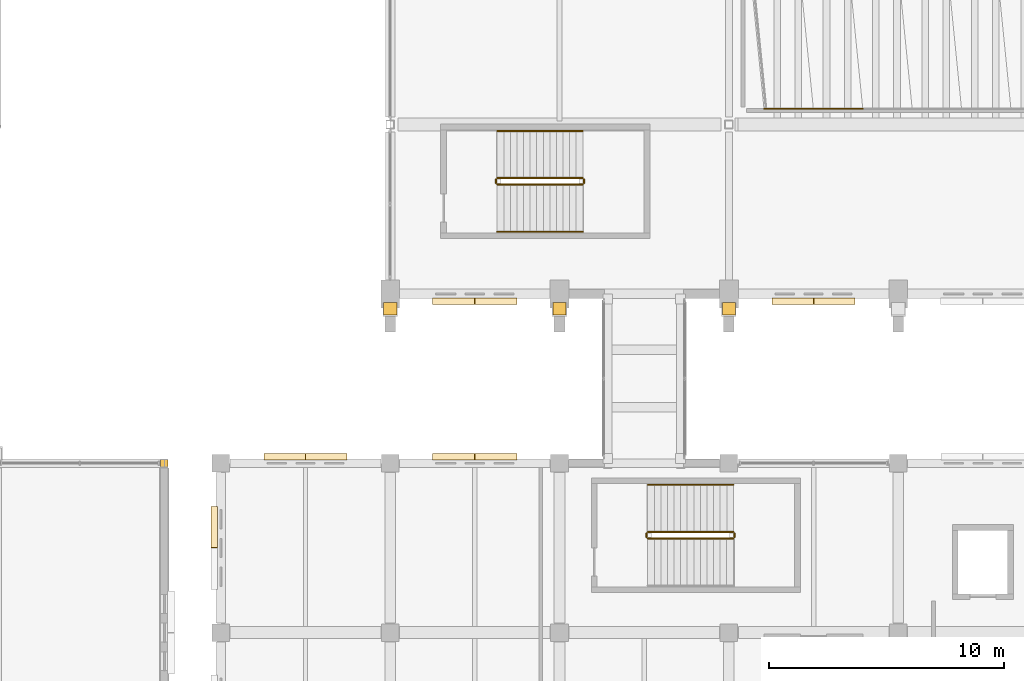
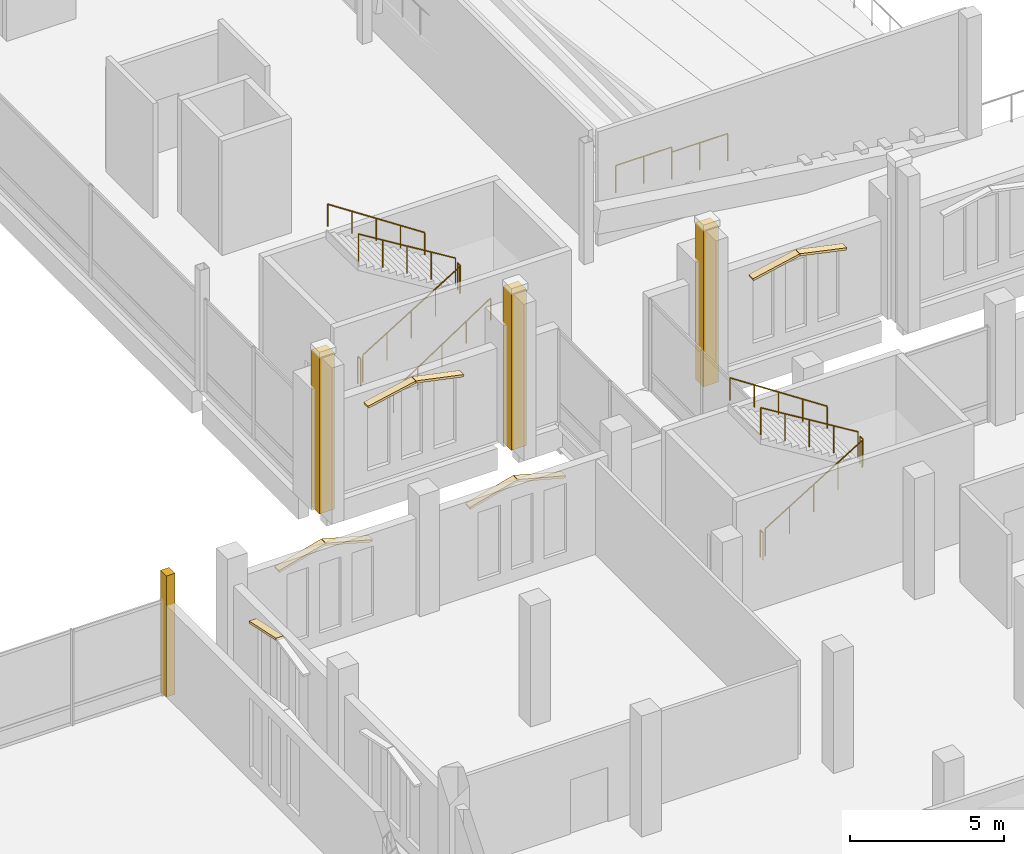
# One storey, part 182 of 193: 13 coverings, 13 railings.
"""IFC4 building model written with IfcOpenShell, lengths in metres."""

from ifc_helpers import new_model, si_unit, direction, frame, origin, origin_2d, place, context, subcontext, project, spatial, polyline, circle, outline, extrude, material, layer, layer_set, type_object, element, save


model = new_model("IFC4")

# Units and contexts
model_context = context("Model", 3, precision=1e-05, world=origin(), true_north=direction((0.0, 1.0)))
body_context = subcontext(model_context, "Body", "Model", "MODEL_VIEW")
ifc_project = project(units=[si_unit("LENGTHUNIT", "METRE"), si_unit("AREAUNIT", "SQUARE_METRE"), si_unit("VOLUMEUNIT", "CUBIC_METRE"), si_unit("PLANEANGLEUNIT", "RADIAN"), si_unit("MASSUNIT", "GRAM", prefix="KILO")], contexts=[model_context])

# Site, building, storey
site_placement = place(None, origin())
site = spatial("IfcSite", under=ifc_project, at=site_placement, CompositionType="ELEMENT")
building_placement = place(site_placement, origin())
building = spatial("IfcBuilding", under=site, at=building_placement, Name="Cendralis Lancet Convention Centre", CompositionType="ELEMENT")
storey_placement = place(building_placement, frame((0.0, 0.0, 10.199951171875)))
storey = spatial("IfcBuildingStorey", under=building, at=storey_placement, Name="L02", CompositionType="ELEMENT", Elevation=10.199951171875)

# Coverings
ifc_material_1 = material(Name="Warm buff sandstone chevron cassette", Category="masonry")
ifc_layer = layer(ifc_material_1, 0.06005859375, Name="Warm buff sandstone chevron cassette")
ifc_layer_set = layer_set([ifc_layer], Name="Warm buff sandstone chevron cassette")
covering_type = type_object("IfcCoveringType", Name="ARC-CV-CLAD1", PredefinedType="CLADDING", material=ifc_layer_set)
for number, where, z_axis, x_axis, name in (
    (1, (144.60009765625, 42.75, 3.27001953125), (0.205041599325, 0.0, 0.978753259277), (0.0, 1.0, 0.0), "L02 Gothic Pointed Lancet Hood-Mould #0135L"),
    (2, (142.7900390625, 42.75, 3.64501953125), (-0.205041599325, 0.0, 0.978753259277), (0.0, 1.0, 0.0), "L02 Gothic Pointed Lancet Hood-Mould #0136R"),
):
    element("IfcCovering", number, at=place(storey_placement, frame(where, z_axis=z_axis, x_axis=x_axis)), inside=storey, type_object=covering_type, Name=name, PredefinedType="CLADDING", context=body_context, shape_type="SweptSolid", body=[
        extrude(outline(polyline([(0.0, 0.0), (0.284912109375, 0.0), (0.284912109375, 1.8288971664027145), (0.0, 1.8288971664027145), (0.0, 0.0)])), origin(), (0.0, 0.0, -1.0), 0.090087890625),
    ])
for number, where, z_axis, x_axis, name in (
    (3, (158.9599609375, 42.75, 3.27001953125), (0.209529088731, 0.0, 0.977802414077), (0.0, 1.0, 0.0), "L02 Gothic Pointed Lancet Hood-Mould #0137L"),
    (4, (157.18994140625, 42.75, 3.64501953125), (-0.209529088731, 0.0, 0.977802414077), (0.0, 1.0, 0.0), "L02 Gothic Pointed Lancet Hood-Mould #0138R"),
):
    element("IfcCovering", number, at=place(storey_placement, frame(where, z_axis=z_axis, x_axis=x_axis)), inside=storey, type_object=covering_type, Name=name, PredefinedType="CLADDING", context=body_context, shape_type="SweptSolid", body=[
        extrude(outline(polyline([(0.0, 0.0), (0.284912109375, 0.0), (0.284912109375, 1.789727632909544), (0.0, 1.789727632909544), (0.0, 0.0)])), origin(), (0.0, 0.0, -1.0), 0.090087890625),
    ])
covering_1_placement = place(storey_placement, origin())
element("IfcCovering", 5, at=covering_1_placement, inside=storey, type_object=covering_type, Name="Gothic Stepped Stone Buttress Shaft #0031", PredefinedType="CLADDING", context=body_context, shape_type="SweptSolid", body=[
    extrude(outline(polyline([(138.919921875, 42.300048828125), (139.47998046875, 42.300048828125), (139.47998046875, 42.830078125), (138.919921875, 42.830078125), (138.919921875, 42.300048828125)])), origin(), (0.0, 0.0, 1.0), 6.199951171875),
])
covering_2_placement = place(storey_placement, origin())
element("IfcCovering", 6, at=covering_2_placement, inside=storey, type_object=covering_type, Name="Gothic Stepped Stone Buttress Shaft #0033", PredefinedType="CLADDING", context=body_context, shape_type="SweptSolid", body=[
    extrude(outline(polyline([(146.1201171875, 42.300048828125), (146.679931640625, 42.300048828125), (146.679931640625, 42.830078125), (146.1201171875, 42.830078125), (146.1201171875, 42.300048828125)])), origin(), (0.0, 0.0, 1.0), 6.199951171875),
])
covering_3_placement = place(storey_placement, origin())
element("IfcCovering", 7, at=covering_3_placement, inside=storey, type_object=covering_type, Name="Gothic Stepped Stone Buttress Shaft #0035", PredefinedType="CLADDING", context=body_context, shape_type="SweptSolid", body=[
    extrude(outline(polyline([(153.320068359375, 42.300048828125), (153.8798828125, 42.300048828125), (153.8798828125, 42.830078125), (153.320068359375, 42.830078125), (153.320068359375, 42.300048828125)])), origin(), (0.0, 0.0, 1.0), 6.199951171875),
])
for number, where, z_axis, x_axis, name in (
    (8, (133.840087890625, 36.419921875, 3.27001953125), (-0.262000790167, 0.0, 0.965067658743), (0.0, -1.0, 0.0), "L02 Gothic Pointed Lancet Hood-Mould #0349L"),
    (9, (135.610107421875, 36.419921875, 3.7451171875), (0.262000790167, 0.0, 0.965067658743), (0.0, -1.0, 0.0), "L02 Gothic Pointed Lancet Hood-Mould #0350R"),
):
    element("IfcCovering", number, at=place(storey_placement, frame(where, z_axis=z_axis, x_axis=x_axis)), inside=storey, type_object=covering_type, Name=name, PredefinedType="CLADDING", context=body_context, shape_type="SweptSolid", body=[
        extrude(outline(polyline([(0.0, 0.0), (0.284912109375, 0.0), (0.284912109375, 1.8133443641443958), (0.0, 1.8133443641443958), (0.0, 0.0)])), origin(), (0.0, 0.0, -1.0), 0.090087890625),
    ])
for number, where, z_axis, x_axis, name in (
    (10, (141.0, 36.419921875, 3.27001953125), (-0.256530206317, 0.0, 0.966536214141), (0.0, -1.0, 0.0), "L02 Gothic Pointed Lancet Hood-Mould #0351L"),
    (11, (142.81005859375, 36.419921875, 3.7451171875), (0.256530206317, 0.0, 0.966536214141), (0.0, -1.0, 0.0), "L02 Gothic Pointed Lancet Hood-Mould #0352R"),
):
    element("IfcCovering", number, at=place(storey_placement, frame(where, z_axis=z_axis, x_axis=x_axis)), inside=storey, type_object=covering_type, Name=name, PredefinedType="CLADDING", context=body_context, shape_type="SweptSolid", body=[
        extrude(outline(polyline([(0.0, 0.0), (0.284912109375, 0.0), (0.284912109375, 1.8520144784126613), (0.0, 1.8520144784126613), (0.0, 0.0)])), origin(), (0.0, 0.0, -1.0), 0.090087890625),
    ])
covering_4_placement = place(storey_placement, frame((131.580078125, 32.409912109375, 3.64501953125), z_axis=(0.0, 0.209529088731, 0.977802414077), x_axis=(1.0, 0.0, 0.0)))
element("IfcCovering", 12, at=covering_4_placement, inside=storey, type_object=covering_type, Name="L02 Gothic Pointed Lancet Hood-Mould #0374R", PredefinedType="CLADDING", context=body_context, shape_type="SweptSolid", body=[
    extrude(outline(polyline([(0.0, 0.0), (0.284912109375, 0.0), (0.284912109375, 1.789727632909544), (0.0, 1.789727632909544), (0.0, 0.0)])), origin(), (0.0, 0.0, -1.0), 0.090087890625),
])
covering_5_placement = place(storey_placement, origin())
element("IfcCovering", 13, at=covering_5_placement, inside=storey, type_object=covering_type, Name="Exterior Column Stone Fire-Casing L02 #032", PredefinedType="CLADDING", context=body_context, shape_type="SweptSolid", body=[
    extrude(outline(polyline([(129.43798828125, 35.80810546875), (129.761962890625, 35.80810546875), (129.761962890625, 36.19189453125), (129.43798828125, 36.19189453125), (129.43798828125, 35.80810546875)])), origin(), (0.0, 0.0, 1.0), 4.800048828125),
])

# Railings
ifc_material_2 = material(Name="Steel S355", Category="steel")
railing_type_1 = type_object("IfcRailingType", Name="ARC-RL-CGD", PredefinedType="GUARDRAIL", material=ifc_material_2)
railing_1_placement = place(storey_placement, frame((143.75, 47.85009765625, 0.17138671875)))
element("IfcRailing", 14, at=railing_1_placement, inside=storey, type_object=railing_type_1, Name="L02 ST-08 stair guard 1", PredefinedType="GUARDRAIL", context=body_context, shape_type="SweptSolid", body=[
    extrude(circle(Radius=0.02392578125, at=origin_2d()), frame((0.0, 0.0, 1.076171875), z_axis=(0.852824790078, 0.0, 0.522197163366), x_axis=(0.0, 1.0, 0.0)), (0.0, 0.0, 1.0), 4.26806640625),
    extrude(circle(Radius=0.02099609375, at=origin_2d()), origin(), (0.0, 0.0, 1.0), 1.052001953125),
    extrude(circle(Radius=0.02099609375, at=origin_2d()), frame((0.909912109375, 0.0, 0.55712890625)), (0.0, 0.0, 1.0), 1.052001953125),
    extrude(circle(Radius=0.02099609375, at=origin_2d()), frame((1.81982421875, 0.0, 1.1142578125)), (0.0, 0.0, 1.0), 1.052001953125),
    extrude(circle(Radius=0.02099609375, at=origin_2d()), frame((2.72998046875, 0.0, 1.671630859375)), (0.0, 0.0, 1.0), 1.052001953125),
    extrude(circle(Radius=0.02099609375, at=origin_2d()), frame((3.639892578125, 0.0, 2.228759765625)), (0.0, 0.0, 1.0), 1.052001953125),
])
railing_2_placement = place(storey_placement, frame((147.43994140625, 47.89990234375, 2.400146484375)))
element("IfcRailing", 15, at=railing_2_placement, inside=storey, type_object=railing_type_1, Name="L02 ST-08 stair guard 2", PredefinedType="GUARDRAIL", context=body_context, shape_type="SweptSolid", body=[
    extrude(circle(Radius=0.02392578125, at=origin_2d()), frame((0.0, 0.0, 1.076171875), z_axis=(0.0, 1.0, 0.0), x_axis=(-1.0, 0.0, 0.0)), (0.0, 0.0, 1.0), 0.18017578125),
    extrude(circle(Radius=0.02099609375, at=origin_2d()), origin(), (0.0, 0.0, 1.0), 1.052001953125),
    extrude(circle(Radius=0.02099609375, at=origin_2d()), frame((0.0, 0.18017578125, 0.0)), (0.0, 0.0, 1.0), 1.052001953125),
])
railing_3_placement = place(storey_placement, frame((147.389892578125, 48.1298828125, 2.571533203125)))
element("IfcRailing", 16, at=railing_3_placement, inside=storey, type_object=railing_type_1, Name="L02 ST-08 stair guard 3", PredefinedType="GUARDRAIL", context=body_context, shape_type="SweptSolid", body=[
    extrude(circle(Radius=0.02392578125, at=origin_2d()), frame((0.0, 0.0, 1.076171875), z_axis=(-0.852850264322, 0.0, 0.5221555579), x_axis=(0.0, -1.0, 0.0)), (0.0, 0.0, 1.0), 4.267822265625),
    extrude(circle(Radius=0.02099609375, at=origin_2d()), origin(), (0.0, 0.0, 1.0), 1.052001953125),
    extrude(circle(Radius=0.02099609375, at=origin_2d()), frame((-0.909912109375, 0.0, 0.55712890625)), (0.0, 0.0, 1.0), 1.052001953125),
    extrude(circle(Radius=0.02099609375, at=origin_2d()), frame((-1.81982421875, 0.0, 1.1142578125)), (0.0, 0.0, 1.0), 1.052001953125),
    extrude(circle(Radius=0.02099609375, at=origin_2d()), frame((-2.72998046875, 0.0, 1.67138671875)), (0.0, 0.0, 1.0), 1.052001953125),
    extrude(circle(Radius=0.02099609375, at=origin_2d()), frame((-3.639892578125, 0.0, 2.228515625)), (0.0, 0.0, 1.0), 1.052001953125),
])
railing_4_placement = place(storey_placement, frame((143.699951171875, 47.89990234375, 0.0)))
element("IfcRailing", 17, at=railing_4_placement, inside=storey, type_object=railing_type_1, Name="L02 ST-08 stair guard 4", PredefinedType="GUARDRAIL", context=body_context, shape_type="SweptSolid", body=[
    extrude(circle(Radius=0.02392578125, at=origin_2d()), frame((0.0, 0.0, 1.076171875), z_axis=(0.0, 1.0, 0.0), x_axis=(-1.0, 0.0, 0.0)), (0.0, 0.0, 1.0), 0.18017578125),
    extrude(circle(Radius=0.02099609375, at=origin_2d()), origin(), (0.0, 0.0, 1.0), 1.052001953125),
    extrude(circle(Radius=0.02099609375, at=origin_2d()), frame((0.0, 0.18017578125, 0.0)), (0.0, 0.0, 1.0), 1.052001953125),
])
railing_5_placement = place(storey_placement, frame((150.14990234375, 32.800048828125, 0.17138671875)))
element("IfcRailing", 18, at=railing_5_placement, inside=storey, type_object=railing_type_1, Name="L02 ST-13 stair guard 1", PredefinedType="GUARDRAIL", context=body_context, shape_type="SweptSolid", body=[
    extrude(circle(Radius=0.02392578125, at=origin_2d()), frame((0.0, 0.0, 1.076171875), z_axis=(0.852840387347, 0.0, 0.522171689878), x_axis=(0.0, 1.0, 0.0)), (0.0, 0.0, 1.0), 4.268310546875),
    extrude(circle(Radius=0.02099609375, at=origin_2d()), origin(), (0.0, 0.0, 1.0), 1.052001953125),
    extrude(circle(Radius=0.02099609375, at=origin_2d()), frame((0.91015625, 0.0, 0.55712890625)), (0.0, 0.0, 1.0), 1.052001953125),
    extrude(circle(Radius=0.02099609375, at=origin_2d()), frame((1.820068359375, 0.0, 1.1142578125)), (0.0, 0.0, 1.0), 1.052001953125),
    extrude(circle(Radius=0.02099609375, at=origin_2d()), frame((2.72998046875, 0.0, 1.671630859375)), (0.0, 0.0, 1.0), 1.052001953125),
    extrude(circle(Radius=0.02099609375, at=origin_2d()), frame((3.64013671875, 0.0, 2.228759765625)), (0.0, 0.0, 1.0), 1.052001953125),
])
railing_6_placement = place(storey_placement, frame((153.840087890625, 32.85009765625, 2.400146484375)))
element("IfcRailing", 19, at=railing_6_placement, inside=storey, type_object=railing_type_1, Name="L02 ST-13 stair guard 2", PredefinedType="GUARDRAIL", context=body_context, shape_type="SweptSolid", body=[
    extrude(circle(Radius=0.02392578125, at=origin_2d()), frame((0.0, 0.0, 1.076171875), z_axis=(0.0, 1.0, 0.0), x_axis=(-1.0, 0.0, 0.0)), (0.0, 0.0, 1.0), 0.179931640625),
    extrude(circle(Radius=0.02099609375, at=origin_2d()), origin(), (0.0, 0.0, 1.0), 1.052001953125),
    extrude(circle(Radius=0.02099609375, at=origin_2d()), frame((0.0, 0.179931640625, 0.0)), (0.0, 0.0, 1.0), 1.052001953125),
])
railing_7_placement = place(storey_placement, frame((153.7900390625, 33.080078125, 2.571533203125)))
element("IfcRailing", 20, at=railing_7_placement, inside=storey, type_object=railing_type_1, Name="L02 ST-13 stair guard 3", PredefinedType="GUARDRAIL", context=body_context, shape_type="SweptSolid", body=[
    extrude(circle(Radius=0.02392578125, at=origin_2d()), frame((0.0, 0.0, 1.076171875), z_axis=(-0.852865859571, 0.0, 0.52213008492), x_axis=(0.0, -1.0, 0.0)), (0.0, 0.0, 1.0), 4.26806640625),
    extrude(circle(Radius=0.02099609375, at=origin_2d()), origin(), (0.0, 0.0, 1.0), 1.052001953125),
    extrude(circle(Radius=0.02099609375, at=origin_2d()), frame((-0.91015625, 0.0, 0.55712890625)), (0.0, 0.0, 1.0), 1.052001953125),
    extrude(circle(Radius=0.02099609375, at=origin_2d()), frame((-1.820068359375, 0.0, 1.1142578125)), (0.0, 0.0, 1.0), 1.052001953125),
    extrude(circle(Radius=0.02099609375, at=origin_2d()), frame((-2.72998046875, 0.0, 1.67138671875)), (0.0, 0.0, 1.0), 1.052001953125),
    extrude(circle(Radius=0.02099609375, at=origin_2d()), frame((-3.64013671875, 0.0, 2.228515625)), (0.0, 0.0, 1.0), 1.052001953125),
])
railing_8_placement = place(storey_placement, frame((150.10009765625, 32.85009765625, 0.0)))
element("IfcRailing", 21, at=railing_8_placement, inside=storey, type_object=railing_type_1, Name="L02 ST-13 stair guard 4", PredefinedType="GUARDRAIL", context=body_context, shape_type="SweptSolid", body=[
    extrude(circle(Radius=0.02392578125, at=origin_2d()), frame((0.0, 0.0, 1.076171875), z_axis=(0.0, 1.0, 0.0), x_axis=(-1.0, 0.0, 0.0)), (0.0, 0.0, 1.0), 0.179931640625),
    extrude(circle(Radius=0.02099609375, at=origin_2d()), origin(), (0.0, 0.0, 1.0), 1.052001953125),
    extrude(circle(Radius=0.02099609375, at=origin_2d()), frame((0.0, 0.179931640625, 0.0)), (0.0, 0.0, 1.0), 1.052001953125),
])
railing_type_2 = type_object("IfcRailingType", Name="ARC-RL-CHR", PredefinedType="HANDRAIL", material=ifc_material_2)
railing_9_placement = place(storey_placement, frame((143.75, 45.85009765625, 0.17138671875)))
element("IfcRailing", 22, at=railing_9_placement, inside=storey, type_object=railing_type_2, Name="L02 ST-08 stair handrail 1", PredefinedType="HANDRAIL", context=body_context, shape_type="SweptSolid", body=[
    extrude(circle(Radius=0.02392578125, at=origin_2d()), frame((0.0, 0.0, 0.8759765625), z_axis=(0.834839479206, 0.0, 0.550493454965), x_axis=(0.0, 1.0, 0.0)), (0.0, 0.0, 1.0), 4.360107421875),
    extrude(circle(Radius=0.02099609375, at=origin_2d()), origin(), (0.0, 0.0, 1.0), 0.851806640625),
    extrude(circle(Radius=0.02099609375, at=origin_2d()), frame((0.909912109375, 0.0, 0.60009765625)), (0.0, 0.0, 1.0), 0.851806640625),
    extrude(circle(Radius=0.02099609375, at=origin_2d()), frame((1.81982421875, 0.0, 1.2001953125)), (0.0, 0.0, 1.0), 0.851806640625),
    extrude(circle(Radius=0.02099609375, at=origin_2d()), frame((2.72998046875, 0.0, 1.800048828125)), (0.0, 0.0, 1.0), 0.851806640625),
    extrude(circle(Radius=0.02099609375, at=origin_2d()), frame((3.639892578125, 0.0, 2.400146484375)), (0.0, 0.0, 1.0), 0.851806640625),
])
railing_10_placement = place(storey_placement, frame((147.389892578125, 50.1298828125, 2.571533203125)))
element("IfcRailing", 23, at=railing_10_placement, inside=storey, type_object=railing_type_2, Name="L02 ST-08 stair handrail 2", PredefinedType="HANDRAIL", context=body_context, shape_type="SweptSolid", body=[
    extrude(circle(Radius=0.02392578125, at=origin_2d()), frame((0.0, 0.0, 0.8759765625), z_axis=(-0.834865213223, 0.0, 0.550454426587), x_axis=(0.0, -1.0, 0.0)), (0.0, 0.0, 1.0), 4.35986328125),
    extrude(circle(Radius=0.02099609375, at=origin_2d()), origin(), (0.0, 0.0, 1.0), 0.851806640625),
    extrude(circle(Radius=0.02099609375, at=origin_2d()), frame((-0.909912109375, 0.0, 0.60009765625)), (0.0, 0.0, 1.0), 0.851806640625),
    extrude(circle(Radius=0.02099609375, at=origin_2d()), frame((-1.81982421875, 0.0, 1.199951171875)), (0.0, 0.0, 1.0), 0.851806640625),
    extrude(circle(Radius=0.02099609375, at=origin_2d()), frame((-2.72998046875, 0.0, 1.7998046875)), (0.0, 0.0, 1.0), 0.851806640625),
    extrude(circle(Radius=0.02099609375, at=origin_2d()), frame((-3.639892578125, 0.0, 2.39990234375)), (0.0, 0.0, 1.0), 0.851806640625),
])
railing_11_placement = place(storey_placement, frame((153.7900390625, 35.080078125, 2.571533203125)))
element("IfcRailing", 24, at=railing_11_placement, inside=storey, type_object=railing_type_2, Name="L02 ST-13 stair handrail 2", PredefinedType="HANDRAIL", context=body_context, shape_type="SweptSolid", body=[
    extrude(circle(Radius=0.02392578125, at=origin_2d()), frame((0.0, 0.0, 0.8759765625), z_axis=(-0.83488217925, 0.0, 0.55042869363), x_axis=(0.0, -1.0, 0.0)), (0.0, 0.0, 1.0), 4.360107421875),
    extrude(circle(Radius=0.02099609375, at=origin_2d()), origin(), (0.0, 0.0, 1.0), 0.851806640625),
    extrude(circle(Radius=0.02099609375, at=origin_2d()), frame((-0.91015625, 0.0, 0.60009765625)), (0.0, 0.0, 1.0), 0.851806640625),
    extrude(circle(Radius=0.02099609375, at=origin_2d()), frame((-1.820068359375, 0.0, 1.199951171875)), (0.0, 0.0, 1.0), 0.851806640625),
    extrude(circle(Radius=0.02099609375, at=origin_2d()), frame((-2.72998046875, 0.0, 1.7998046875)), (0.0, 0.0, 1.0), 0.851806640625),
    extrude(circle(Radius=0.02099609375, at=origin_2d()), frame((-3.64013671875, 0.0, 2.39990234375)), (0.0, 0.0, 1.0), 0.851806640625),
])
railing_type_3 = type_object("IfcRailingType", Name="ARC-RL-IG01", PredefinedType="GUARDRAIL", material=ifc_material_2)
railing_12_placement = place(storey_placement, frame((157.199951171875, 51.080078125, 1.550048828125)))
element("IfcRailing", 25, at=railing_12_placement, inside=storey, type_object=railing_type_3, Name="Plenary Upper Stand Side Crowd Guardrail #058", PredefinedType="GUARDRAIL", context=body_context, shape_type="SweptSolid", body=[
    extrude(circle(Radius=0.02392578125, at=origin_2d()), frame((0.0, 0.0, 1.076171875), z_axis=(1.0, 0.0, 0.0), x_axis=(0.0, 1.0, 0.0)), (0.0, 0.0, 1.0), 2.10009765625),
    extrude(circle(Radius=0.02099609375, at=origin_2d()), origin(), (0.0, 0.0, 1.0), 1.052001953125),
    extrude(circle(Radius=0.02099609375, at=origin_2d()), frame((1.050048828125, 0.0, 0.0)), (0.0, 0.0, 1.0), 1.052001953125),
    extrude(circle(Radius=0.02099609375, at=origin_2d()), frame((2.10009765625, 0.0, 0.0)), (0.0, 0.0, 1.0), 1.052001953125),
])
railing_13_placement = place(storey_placement, frame((155.10009765625, 51.080078125, 1.75)))
element("IfcRailing", 26, at=railing_13_placement, inside=storey, type_object=railing_type_3, Name="Plenary Upper Stand Side Crowd Guardrail #060", PredefinedType="GUARDRAIL", context=body_context, shape_type="SweptSolid", body=[
    extrude(circle(Radius=0.02392578125, at=origin_2d()), frame((0.0, 0.0, 1.076171875), z_axis=(1.0, 0.0, 0.0), x_axis=(0.0, 1.0, 0.0)), (0.0, 0.0, 1.0), 2.099853515625),
    extrude(circle(Radius=0.02099609375, at=origin_2d()), origin(), (0.0, 0.0, 1.0), 1.052001953125),
    extrude(circle(Radius=0.02099609375, at=origin_2d()), frame((1.0498046875, 0.0, 0.0)), (0.0, 0.0, 1.0), 1.052001953125),
    extrude(circle(Radius=0.02099609375, at=origin_2d()), frame((2.099853515625, 0.0, 0.0)), (0.0, 0.0, 1.0), 1.052001953125),
])

save(model, "model.ifc")
